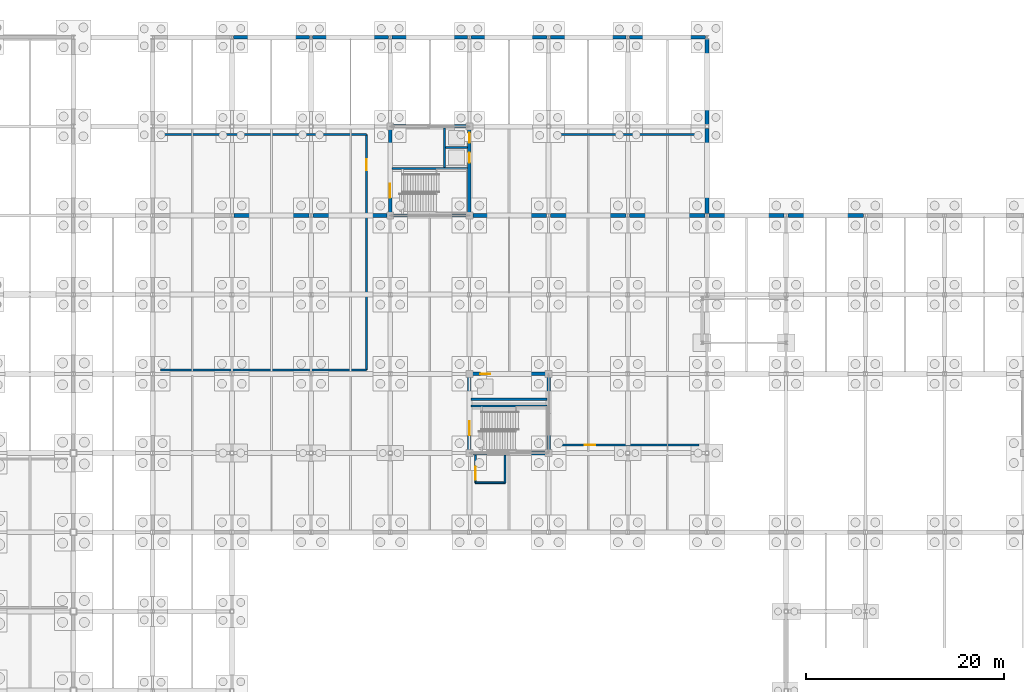
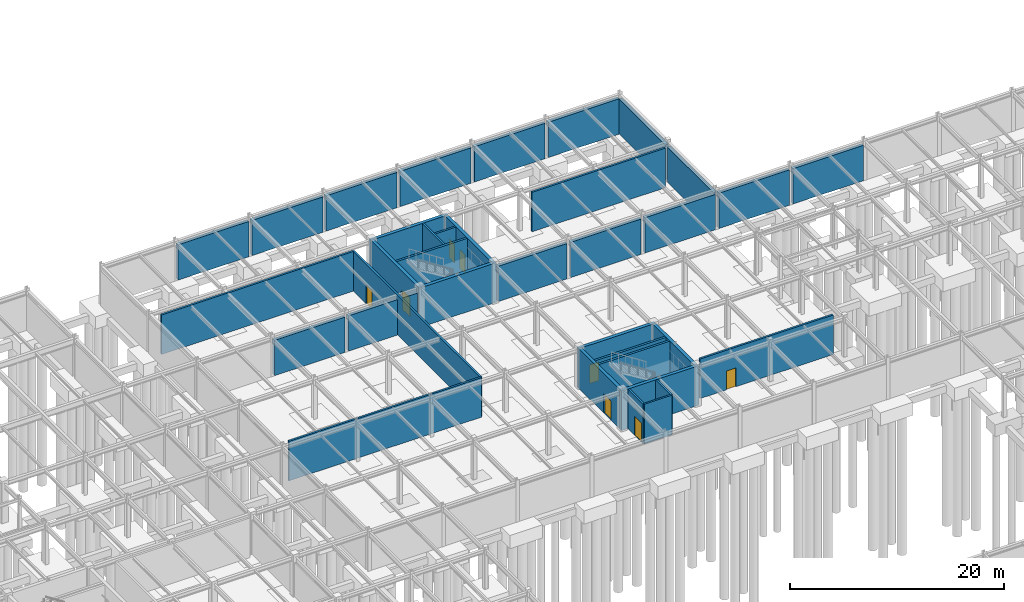
# One storey, part 64 of 72: 36 walls, 8 doors, 8 openings.
"""IFC4 building model written with IfcOpenShell, lengths in metres."""

from ifc_helpers import new_model, si_unit, direction, frame, frame_2d, origin, place, context, subcontext, project, spatial, rectangle, extrude, material, layer, layer_set, type_object, element, fill, save


model = new_model("IFC4")

# Units and contexts
model_context = context("Model", 3, precision=1e-05, world=origin(), true_north=direction((0.0, 1.0)))
body_context = subcontext(model_context, "Body", "Model", "MODEL_VIEW")
ifc_project = project(units=[si_unit("LENGTHUNIT", "METRE"), si_unit("AREAUNIT", "SQUARE_METRE"), si_unit("VOLUMEUNIT", "CUBIC_METRE"), si_unit("PLANEANGLEUNIT", "RADIAN"), si_unit("MASSUNIT", "GRAM", prefix="KILO")], contexts=[model_context])

# Site, building, storey
site_placement = place(None, origin())
site = spatial("IfcSite", under=ifc_project, at=site_placement, CompositionType="ELEMENT")
building_placement = place(site_placement, origin())
building = spatial("IfcBuilding", under=site, at=building_placement, Name="Zhaolan Boulevard Law Courts", CompositionType="ELEMENT")
storey_placement = place(building_placement, frame((0.0, 0.0, -4.800048828125)))
storey = spatial("IfcBuildingStorey", under=building, at=storey_placement, Name="B1", CompositionType="ELEMENT", Elevation=-4.800048828125)

# Wall
ifc_material_1 = material(Name="Concrete C50", Category="concrete")
ifc_layer_1 = layer(ifc_material_1, 0.35009765625)
ifc_layer_set_1 = layer_set([ifc_layer_1])
wall_type_1 = type_object("IfcWallType", Name="CORE SHEAR WALL 350", PredefinedType="SHEAR", material=ifc_layer_set_1)
wall_1_placement = place(storey_placement, frame((83.824951171875, 70.0, 0.0), z_axis=(0.0, 0.0, 1.0), x_axis=(1.0, 0.0, 0.0)))
element("IfcWall", 1, at=wall_1_placement, inside=storey, type_object=wall_type_1, Name="Core Shear Wall CW-T1-B1S", PredefinedType="SHEAR", context=body_context, shape_type="SweptSolid", body=[
    extrude(rectangle(XDim=8.35009765625, YDim=0.35009765625, at=frame_2d((4.175048828125, 0.0))), origin(), (0.0, 0.0, 1.0), 4.52001953125),
])

# Wall, opening, door
wall_2_placement = place(storey_placement, frame((92.175048828125, 78.0, 0.0), z_axis=(0.0, 0.0, 1.0), x_axis=(-1.0, 0.0, 0.0)))
wall_2 = element("IfcWall", 2, at=wall_2_placement, inside=storey, type_object=wall_type_1, Name="Core Shear Wall CW-T1-B1N", PredefinedType="SHEAR", context=body_context, shape_type="SweptSolid", body=[
    extrude(rectangle(XDim=8.35009765625, YDim=0.35009765625, at=frame_2d((4.175048828125, 0.0))), origin(), (0.0, 0.0, 1.0), 4.52001953125),
])
opening_1_placement = place(wall_2_placement, frame((6.074951171875, 0.0, 0.0)))
opening_1 = element("IfcOpeningElement", 3, at=opening_1_placement, cuts=wall_2, Name="Opening LD-PL-03-B1", PredefinedType="OPENING", context=body_context, shape_type="SweptSolid", body=[
    extrude(rectangle(XDim=1.0, YDim=2.14990234375, at=frame_2d((0.5, 1.074951171875))), frame((0.0, 0.18505859375, 0.0), z_axis=(0.0, -1.0, 0.0), x_axis=(1.0, 0.0, 0.0)), (0.0, 0.0, 1.0), 0.3701171875),
])
ifc_material_2 = material(Name="Stainless steel sliding landing door", Category="steel")
door_type_1 = type_object("IfcDoorType", Name="LIFT LANDING 1000X2150", OperationType="DOUBLE_DOOR_SLIDING", PredefinedType="DOOR", material=ifc_material_2)
door_1_placement = place(opening_1_placement, origin())
door_1 = element("IfcDoor", 4, at=door_1_placement, inside=storey, type_object=door_type_1, Name="Lift Landing Sliding Door LD-PL-03-B1", OperationType="DOUBLE_DOOR_SLIDING", OverallHeight=2.14990234375, OverallWidth=1.0, PredefinedType="DOOR", context=body_context, shape_type="SweptSolid", body=[
    extrude(rectangle(XDim=1.0, YDim=2.14990234375, at=frame_2d((0.5, 1.074951171875))), frame((0.0, 0.02490234375, 0.0), z_axis=(0.0, -1.0, 0.0), x_axis=(1.0, 0.0, 0.0)), (0.0, 0.0, 1.0), 0.050048828125),
])
fill(opening_1, door_1)

wall_3_placement = place(storey_placement, frame((84.0, 70.175048828125, 0.0), z_axis=(0.0, 0.0, 1.0), x_axis=(0.0, 1.0, 0.0)))
wall_3 = element("IfcWall", 5, at=wall_3_placement, inside=storey, type_object=wall_type_1, Name="Core Shear Wall CW-T1-B1W", PredefinedType="SHEAR", context=body_context, shape_type="SweptSolid", body=[
    extrude(rectangle(XDim=7.64990234375, YDim=0.35009765625, at=frame_2d((3.824951171875, 0.0))), origin(), (0.0, 0.0, 1.0), 4.52001953125),
])
opening_2_placement = place(wall_3_placement, frame((1.625, 0.0, 0.0)))
opening_2 = element("IfcOpeningElement", 6, at=opening_2_placement, cuts=wall_3, Name="Opening SD-B1-29", PredefinedType="OPENING", context=body_context, shape_type="SweptSolid", body=[
    extrude(rectangle(XDim=1.39990234375, YDim=2.199951171875, at=frame_2d((0.699951171875, 1.10009765625))), frame((0.0, 0.18505859375, 0.0), z_axis=(0.0, -1.0, 0.0), x_axis=(1.0, 0.0, 0.0)), (0.0, 0.0, 1.0), 0.3701171875),
])
ifc_material_3 = material(Name="Fire-rated steel acoustic door", Category="steel")
door_type_2 = type_object("IfcDoorType", Name="STAIR FIRE 1400X2200 L", OperationType="SINGLE_SWING_LEFT", PredefinedType="DOOR", material=ifc_material_3)
door_2_placement = place(opening_2_placement, origin())
door_2 = element("IfcDoor", 7, at=door_2_placement, inside=storey, type_object=door_type_2, Name="Smoke-Proof Stairwell Fire Door SD-B1-29", OperationType="SINGLE_SWING_LEFT", OverallHeight=2.199951171875, OverallWidth=1.39990234375, PredefinedType="DOOR", context=body_context, shape_type="SweptSolid", body=[
    extrude(rectangle(XDim=1.39990234375, YDim=2.199951171875, at=frame_2d((0.699951171875, 1.10009765625))), frame((0.0, 0.02490234375, 0.0), z_axis=(0.0, -1.0, 0.0), x_axis=(1.0, 0.0, 0.0)), (0.0, 0.0, 1.0), 0.050048828125),
])
fill(opening_2, door_2)

# Walls
wall_4_placement = place(storey_placement, frame((92.0, 70.175048828125, 0.0), z_axis=(0.0, 0.0, 1.0), x_axis=(0.0, 1.0, 0.0)))
element("IfcWall", 8, at=wall_4_placement, inside=storey, type_object=wall_type_1, Name="Core Shear Wall CW-T1-B1E", PredefinedType="SHEAR", context=body_context, shape_type="SweptSolid", body=[
    extrude(rectangle(XDim=7.64990234375, YDim=0.35009765625, at=frame_2d((3.824951171875, 0.0))), origin(), (0.0, 0.0, 1.0), 4.52001953125),
])
for number, where, z_axis, x_axis, name in (
    (9, (75.824951171875, 94.0, 0.0), (0.0, 0.0, 1.0), (1.0, 0.0, 0.0), "Core Shear Wall CW-C1-B1S"),
    (10, (84.175048828125, 103.0, 0.0), (0.0, 0.0, 1.0), (-1.0, 0.0, 0.0), "Core Shear Wall CW-C1-B1N"),
):
    element("IfcWall", number, at=place(storey_placement, frame(where, z_axis=z_axis, x_axis=x_axis)), inside=storey, type_object=wall_type_1, Name=name, PredefinedType="SHEAR", context=body_context, shape_type="SweptSolid", body=[
        extrude(rectangle(XDim=8.35009765625, YDim=0.35009765625, at=frame_2d((4.175048828125, 0.0))), origin(), (0.0, 0.0, 1.0), 4.52001953125),
    ])

# Wall, opening, door
wall_5_placement = place(storey_placement, frame((76.0, 94.175048828125, 0.0), z_axis=(0.0, 0.0, 1.0), x_axis=(0.0, 1.0, 0.0)))
wall_5 = element("IfcWall", 11, at=wall_5_placement, inside=storey, type_object=wall_type_1, Name="Core Shear Wall CW-C1-B1W", PredefinedType="SHEAR", context=body_context, shape_type="SweptSolid", body=[
    extrude(rectangle(XDim=8.64990234375, YDim=0.35009765625, at=frame_2d((4.324951171875, 0.0))), origin(), (0.0, 0.0, 1.0), 4.52001953125),
])
opening_3_placement = place(wall_5_placement, frame((1.625, 0.0, 0.0)))
opening_3 = element("IfcOpeningElement", 12, at=opening_3_placement, cuts=wall_5, Name="Opening SD-B1-43", PredefinedType="OPENING", context=body_context, shape_type="SweptSolid", body=[
    extrude(rectangle(XDim=1.39990234375, YDim=2.199951171875, at=frame_2d((0.699951171875, 1.10009765625))), frame((0.0, 0.18505859375, 0.0), z_axis=(0.0, -1.0, 0.0), x_axis=(1.0, 0.0, 0.0)), (0.0, 0.0, 1.0), 0.3701171875),
])
door_3_placement = place(opening_3_placement, origin())
door_3 = element("IfcDoor", 13, at=door_3_placement, inside=storey, type_object=door_type_2, Name="Smoke-Proof Stairwell Fire Door SD-B1-43", OperationType="SINGLE_SWING_LEFT", OverallHeight=2.199951171875, OverallWidth=1.39990234375, PredefinedType="DOOR", context=body_context, shape_type="SweptSolid", body=[
    extrude(rectangle(XDim=1.39990234375, YDim=2.199951171875, at=frame_2d((0.699951171875, 1.10009765625))), frame((0.0, 0.02490234375, 0.0), z_axis=(0.0, -1.0, 0.0), x_axis=(1.0, 0.0, 0.0)), (0.0, 0.0, 1.0), 0.050048828125),
])
fill(opening_3, door_3)

# Wall, openings, doors
wall_6_placement = place(storey_placement, frame((84.0, 94.175048828125, 0.0), z_axis=(0.0, 0.0, 1.0), x_axis=(0.0, 1.0, 0.0)))
wall_6 = element("IfcWall", 14, at=wall_6_placement, inside=storey, type_object=wall_type_1, Name="Core Shear Wall CW-C1-B1E", PredefinedType="SHEAR", context=body_context, shape_type="SweptSolid", body=[
    extrude(rectangle(XDim=8.64990234375, YDim=0.35009765625, at=frame_2d((4.324951171875, 0.0))), origin(), (0.0, 0.0, 1.0), 4.52001953125),
])
opening_4_placement = place(wall_6_placement, frame((5.175048828125, 0.0, 0.0)))
opening_4 = element("IfcOpeningElement", 15, at=opening_4_placement, cuts=wall_6, Name="Opening LD-CL-01-B1", PredefinedType="OPENING", context=body_context, shape_type="SweptSolid", body=[
    extrude(rectangle(XDim=1.0, YDim=2.14990234375, at=frame_2d((0.5, 1.074951171875))), frame((0.0, 0.18505859375, 0.0), z_axis=(0.0, -1.0, 0.0), x_axis=(1.0, 0.0, 0.0)), (0.0, 0.0, 1.0), 0.3701171875),
])
opening_5_placement = place(wall_6_placement, frame((7.175048828125, 0.0, 0.0)))
opening_5 = element("IfcOpeningElement", 16, at=opening_5_placement, cuts=wall_6, Name="Opening LD-CL-02-B1", PredefinedType="OPENING", context=body_context, shape_type="SweptSolid", body=[
    extrude(rectangle(XDim=1.0, YDim=2.14990234375, at=frame_2d((0.5, 1.074951171875))), frame((0.0, 0.18505859375, 0.0), z_axis=(0.0, -1.0, 0.0), x_axis=(1.0, 0.0, 0.0)), (0.0, 0.0, 1.0), 0.3701171875),
])
door_4_placement = place(opening_4_placement, origin())
door_4 = element("IfcDoor", 17, at=door_4_placement, inside=storey, type_object=door_type_1, Name="Lift Landing Sliding Door LD-CL-01-B1", OperationType="DOUBLE_DOOR_SLIDING", OverallHeight=2.14990234375, OverallWidth=1.0, PredefinedType="DOOR", context=body_context, shape_type="SweptSolid", body=[
    extrude(rectangle(XDim=1.0, YDim=2.14990234375, at=frame_2d((0.5, 1.074951171875))), frame((0.0, 0.02490234375, 0.0), z_axis=(0.0, -1.0, 0.0), x_axis=(1.0, 0.0, 0.0)), (0.0, 0.0, 1.0), 0.050048828125),
])
fill(opening_4, door_4)
door_5_placement = place(opening_5_placement, origin())
door_5 = element("IfcDoor", 18, at=door_5_placement, inside=storey, type_object=door_type_1, Name="Lift Landing Sliding Door LD-CL-02-B1", OperationType="DOUBLE_DOOR_SLIDING", OverallHeight=2.14990234375, OverallWidth=1.0, PredefinedType="DOOR", context=body_context, shape_type="SweptSolid", body=[
    extrude(rectangle(XDim=1.0, YDim=2.14990234375, at=frame_2d((0.5, 1.074951171875))), frame((0.0, 0.02490234375, 0.0), z_axis=(0.0, -1.0, 0.0), x_axis=(1.0, 0.0, 0.0)), (0.0, 0.0, 1.0), 0.050048828125),
])
fill(opening_5, door_5)

# Walls
ifc_material_4 = material(Name="Concrete C40", Category="concrete")
ifc_layer_2 = layer(ifc_material_4, 0.360107421875)
ifc_layer_set_2 = layer_set([ifc_layer_2])
wall_type_2 = type_object("IfcWallType", Name="EXT WALL RETAINING360", PredefinedType="USERDEFINED", material=ifc_layer_set_2)
wall_7_placement = place(storey_placement, frame((67.803955078125, 94.0, 0.0), z_axis=(0.0, 0.0, 1.0), x_axis=(-1.0, 0.0, 0.0)))
element("IfcWall", 19, at=wall_7_placement, inside=storey, type_object=wall_type_2, Name="Exterior Wall EW-B1-089", ObjectType="RETAININGWALL", PredefinedType="USERDEFINED", context=body_context, shape_type="SweptSolid", body=[
    extrude(rectangle(XDim=7.60791015625, YDim=0.360107421875, at=frame_2d((3.803955078125, 0.0))), origin(), (0.0, 0.0, 1.0), 4.04296875),
])
for number, where, z_axis, x_axis, name in (
    (20, (75.654052734375, 94.0, 0.0), (0.0, 0.0, 1.0), (-1.0, 0.0, 0.0), "Exterior Wall EW-B1-090"),
    (21, (91.803955078125, 94.0, 0.0), (0.0, 0.0, 1.0), (-1.0, 0.0, 0.0), "Exterior Wall EW-B1-091"),
):
    element("IfcWall", number, at=place(storey_placement, frame(where, z_axis=z_axis, x_axis=x_axis)), inside=storey, type_object=wall_type_2, Name=name, ObjectType="RETAININGWALL", PredefinedType="USERDEFINED", context=body_context, shape_type="SweptSolid", body=[
        extrude(rectangle(XDim=7.4580078125, YDim=0.360107421875, at=frame_2d((3.72900390625, 0.0))), origin(), (0.0, 0.0, 1.0), 4.04296875),
    ])
for number, where, z_axis, x_axis, name in (
    (22, (99.803955078125, 94.0, 0.0), (0.0, 0.0, 1.0), (-1.0, 0.0, 0.0), "Exterior Wall EW-B1-092"),
    (23, (107.803955078125, 94.0, 0.0), (0.0, 0.0, 1.0), (-1.0, 0.0, 0.0), "Exterior Wall EW-B1-093"),
    (24, (115.803955078125, 94.0, 0.0), (0.0, 0.0, 1.0), (-1.0, 0.0, 0.0), "Exterior Wall EW-B1-094"),
    (25, (123.803955078125, 94.0, 0.0), (0.0, 0.0, 1.0), (-1.0, 0.0, 0.0), "Exterior Wall EW-B1-095"),
):
    element("IfcWall", number, at=place(storey_placement, frame(where, z_axis=z_axis, x_axis=x_axis)), inside=storey, type_object=wall_type_2, Name=name, ObjectType="RETAININGWALL", PredefinedType="USERDEFINED", context=body_context, shape_type="SweptSolid", body=[
        extrude(rectangle(XDim=7.60791015625, YDim=0.360107421875, at=frame_2d((3.803955078125, 0.0))), origin(), (0.0, 0.0, 1.0), 4.04296875),
    ])
for number, where, z_axis, x_axis, name in (
    (26, (67.8291015625, 112.0, 0.0), (0.0, 0.0, 1.0), (-1.0, 0.0, 0.0), "Exterior Wall EW-B1-110"),
    (27, (75.8291015625, 112.0, 0.0), (0.0, 0.0, 1.0), (-1.0, 0.0, 0.0), "Exterior Wall EW-B1-111"),
    (28, (83.8291015625, 112.0, 0.0), (0.0, 0.0, 1.0), (-1.0, 0.0, 0.0), "Exterior Wall EW-B1-112"),
    (29, (91.8291015625, 112.0, 0.0), (0.0, 0.0, 1.0), (-1.0, 0.0, 0.0), "Exterior Wall EW-B1-113"),
    (30, (99.8291015625, 112.0, 0.0), (0.0, 0.0, 1.0), (-1.0, 0.0, 0.0), "Exterior Wall EW-B1-114"),
    (31, (107.8291015625, 112.0, 0.0), (0.0, 0.0, 1.0), (-1.0, 0.0, 0.0), "Exterior Wall EW-B1-115"),
):
    element("IfcWall", number, at=place(storey_placement, frame(where, z_axis=z_axis, x_axis=x_axis)), inside=storey, type_object=wall_type_2, Name=name, ObjectType="RETAININGWALL", PredefinedType="USERDEFINED", context=body_context, shape_type="SweptSolid", body=[
        extrude(rectangle(XDim=7.658203125, YDim=0.360107421875, at=frame_2d((3.8291015625, 0.0))), origin(), (0.0, 0.0, 1.0), 4.04296875),
    ])
wall_8_placement = place(storey_placement, frame((108.0, 94.196044921875, 0.0), z_axis=(0.0, 0.0, 1.0), x_axis=(0.0, 1.0, 0.0)))
element("IfcWall", 32, at=wall_8_placement, inside=storey, type_object=wall_type_2, Name="Exterior Wall EW-B1-118", ObjectType="RETAININGWALL", PredefinedType="USERDEFINED", context=body_context, shape_type="SweptSolid", body=[
    extrude(rectangle(XDim=8.60791015625, YDim=0.360107421875, at=frame_2d((4.303955078125, 0.0))), origin(), (0.0, 0.0, 1.0), 4.0009765625),
])
wall_9_placement = place(storey_placement, frame((108.0, 103.196044921875, 0.0), z_axis=(0.0, 0.0, 1.0), x_axis=(0.0, 1.0, 0.0)))
element("IfcWall", 33, at=wall_9_placement, inside=storey, type_object=wall_type_2, Name="Exterior Wall EW-B1-119", ObjectType="RETAININGWALL", PredefinedType="USERDEFINED", context=body_context, shape_type="SweptSolid", body=[
    extrude(rectangle(XDim=8.633056640625, YDim=0.360107421875, at=frame_2d((4.31640625, 0.0))), origin(), (0.0, 0.0, 1.0), 4.0009765625),
])
ifc_material_5 = material(Name="Concrete C50", Category="concrete")
ifc_layer_3 = layer(ifc_material_5, 0.239990234375)
ifc_layer_set_3 = layer_set([ifc_layer_3])
wall_type_3 = type_object("IfcWallType", Name="LIFT SHAFT WALL 240", PredefinedType="SHEAR", material=ifc_layer_set_3)
wall_10_placement = place(storey_placement, frame((84.175048828125, 75.455078125, 0.0), z_axis=(0.0, 0.0, 1.0), x_axis=(1.0, 0.0, 0.0)))
element("IfcWall", 34, at=wall_10_placement, inside=storey, type_object=wall_type_3, Name="Lift Shaft Enclosure Wall T1 (B1)", PredefinedType="SHEAR", context=body_context, shape_type="SweptSolid", body=[
    extrude(rectangle(XDim=7.64990234375, YDim=0.239990234375, at=frame_2d((3.824951171875, 0.0))), origin(), (0.0, 0.0, 1.0), 4.52001953125),
])
ifc_material_6 = material(Name="Acoustic gypsum and mineral-wool stud")
ifc_layer_4 = layer(ifc_material_6, 0.18994140625)
ifc_layer_set_4 = layer_set([ifc_layer_4])
wall_type_4 = type_object("IfcWallType", Name="PART WALL ACOUST190", PredefinedType="PARTITIONING", material=ifc_layer_set_4)
wall_11_placement = place(storey_placement, frame((84.60009765625, 67.0, 0.0), z_axis=(0.0, 0.0, 1.0), x_axis=(1.0, 0.0, 0.0)))
element("IfcWall", 35, at=wall_11_placement, inside=storey, type_object=wall_type_4, Name="Interior Partition PW-B1-076", PredefinedType="PARTITIONING", context=body_context, shape_type="SweptSolid", body=[
    extrude(rectangle(XDim=3.0, YDim=0.18994140625, at=frame_2d((1.5, 0.0))), origin(), (0.0, 0.0, 1.0), 4.52001953125),
])

# Wall, opening, door
wall_12_placement = place(storey_placement, frame((84.60009765625, 69.800048828125, 0.0), z_axis=(0.0, 0.0, 1.0), x_axis=(0.0, -1.0, 0.0)))
wall_12 = element("IfcWall", 36, at=wall_12_placement, inside=storey, type_object=wall_type_4, Name="Interior Partition PW-B1-077", PredefinedType="PARTITIONING", context=body_context, shape_type="SweptSolid", body=[
    extrude(rectangle(XDim=2.800048828125, YDim=0.18994140625, at=frame_2d((1.39990234375, 0.0))), origin(), (0.0, 0.0, 1.0), 4.52001953125),
])
opening_6_placement = place(wall_12_placement, frame((1.199951171875, 0.0, 0.0)))
opening_6 = element("IfcOpeningElement", 37, at=opening_6_placement, cuts=wall_12, Name="Opening FD-B1-026", PredefinedType="OPENING", context=body_context, shape_type="SweptSolid", body=[
    extrude(rectangle(XDim=1.300048828125, YDim=2.199951171875, at=frame_2d((0.64990234375, 1.10009765625))), frame((0.0, 0.10498046875, 0.0), z_axis=(0.0, -1.0, 0.0), x_axis=(1.0, 0.0, 0.0)), (0.0, 0.0, 1.0), 0.2099609375),
])
ifc_material_7 = material(Name="Fire-rated steel acoustic door", Category="steel")
door_type_3 = type_object("IfcDoorType", Name="LOBBY FIRE 1300X2200 R", OperationType="SINGLE_SWING_RIGHT", PredefinedType="DOOR", material=ifc_material_7)
door_6_placement = place(opening_6_placement, origin())
door_6 = element("IfcDoor", 38, at=door_6_placement, inside=storey, type_object=door_type_3, Name="Door FD-B1-026 (Lobby Firefighting Lift B1-T1)", OperationType="SINGLE_SWING_RIGHT", OverallHeight=2.199951171875, OverallWidth=1.300048828125, PredefinedType="DOOR", context=body_context, shape_type="SweptSolid", body=[
    extrude(rectangle(XDim=1.300048828125, YDim=2.199951171875, at=frame_2d((0.64990234375, 1.10009765625))), frame((0.0, 0.02490234375, 0.0), z_axis=(0.0, -1.0, 0.0), x_axis=(1.0, 0.0, 0.0)), (0.0, 0.0, 1.0), 0.050048828125),
])
fill(opening_6, door_6)

# Walls
wall_13_placement = place(storey_placement, frame((87.60009765625, 67.0, 0.0), z_axis=(0.0, 0.0, 1.0), x_axis=(0.0, 1.0, 0.0)))
element("IfcWall", 39, at=wall_13_placement, inside=storey, type_object=wall_type_4, Name="Interior Partition PW-B1-078", PredefinedType="PARTITIONING", context=body_context, shape_type="SweptSolid", body=[
    extrude(rectangle(XDim=2.800048828125, YDim=0.18994140625, at=frame_2d((1.39990234375, 0.0))), origin(), (0.0, 0.0, 1.0), 4.52001953125),
])
ifc_material_8 = material(Name="Concrete C40", Category="concrete")
ifc_layer_5 = layer(ifc_material_8, 0.2099609375)
ifc_layer_set_5 = layer_set([ifc_layer_5])
wall_type_5 = type_object("IfcWallType", Name="PART WALL CUSTODY210", PredefinedType="PARTITIONING", material=ifc_layer_set_5)
wall_14_placement = place(storey_placement, frame((81.465087890625, 98.8720703125, 0.0), z_axis=(0.0, 0.0, 1.0), x_axis=(0.0, 1.0, 0.0)))
element("IfcWall", 40, at=wall_14_placement, inside=storey, type_object=wall_type_5, Name="Lift Shaft Enclosure Wall C1W (B1)", PredefinedType="PARTITIONING", context=body_context, shape_type="SweptSolid", body=[
    extrude(rectangle(XDim=3.950927734375, YDim=0.2099609375, at=frame_2d((1.9755859375, 0.0))), origin(), (0.0, 0.0, 1.0), 4.52001953125),
])
wall_15_placement = place(storey_placement, frame((81.572021484375, 100.85009765625, 0.0), z_axis=(0.0, 0.0, 1.0), x_axis=(1.0, 0.0, 0.0)))
element("IfcWall", 41, at=wall_15_placement, inside=storey, type_object=wall_type_5, Name="Lift Shaft Divider Wall C1 (B1)", PredefinedType="PARTITIONING", context=body_context, shape_type="SweptSolid", body=[
    extrude(rectangle(XDim=2.2509765625, YDim=0.2099609375, at=frame_2d((1.12548828125, 0.0))), origin(), (0.0, 0.0, 1.0), 4.52001953125),
])
for number, where, z_axis, x_axis, name in (
    (42, (52.800048828125, 78.39990234375, 0.0), (0.0, 0.0, 1.0), (1.0, 0.0, 0.0), "Interior Partition PW-B1-226"),
    (43, (73.60009765625, 102.199951171875, 0.0), (0.0, 0.0, 1.0), (-1.0, 0.0, 0.0), "Interior Partition PW-B1-227"),
):
    element("IfcWall", number, at=place(storey_placement, frame(where, z_axis=z_axis, x_axis=x_axis)), inside=storey, type_object=wall_type_5, Name=name, PredefinedType="PARTITIONING", context=body_context, shape_type="SweptSolid", body=[
        extrude(rectangle(XDim=20.800048828125, YDim=0.2099609375, at=frame_2d((10.39990234375, 0.0))), origin(), (0.0, 0.0, 1.0), 4.52001953125),
    ])

# Wall, opening, door
wall_16_placement = place(storey_placement, frame((73.60009765625, 78.39990234375, 0.0), z_axis=(0.0, 0.0, 1.0), x_axis=(0.0, 1.0, 0.0)))
wall_16 = element("IfcWall", 44, at=wall_16_placement, inside=storey, type_object=wall_type_5, Name="Interior Partition PW-B1-228", PredefinedType="PARTITIONING", context=body_context, shape_type="SweptSolid", body=[
    extrude(rectangle(XDim=23.800048828125, YDim=0.2099609375, at=frame_2d((11.89990234375, 0.0))), origin(), (0.0, 0.0, 1.0), 4.52001953125),
])
opening_7_placement = place(wall_16_placement, frame((20.18994140625, 0.0, 0.0)))
opening_7 = element("IfcOpeningElement", 45, at=opening_7_placement, cuts=wall_16, Name="Opening CD-B1-067", PredefinedType="OPENING", context=body_context, shape_type="SweptSolid", body=[
    extrude(rectangle(XDim=1.10009765625, YDim=2.14990234375, at=frame_2d((0.550048828125, 1.074951171875))), frame((0.0, 0.114990234375, 0.0), z_axis=(0.0, -1.0, 0.0), x_axis=(1.0, 0.0, 0.0)), (0.0, 0.0, 1.0), 0.22998046875),
])
ifc_material_9 = material(Name="Fire-rated steel acoustic door", Category="steel")
door_type_4 = type_object("IfcDoorType", Name="CUSTODY DOOR 1100X2150 L", OperationType="SINGLE_SWING_LEFT", PredefinedType="DOOR", material=ifc_material_9)
door_7_placement = place(opening_7_placement, origin())
door_7 = element("IfcDoor", 46, at=door_7_placement, inside=storey, type_object=door_type_4, Name="Door CD-B1-067 (Custody Basement Transfer Suite)", OperationType="SINGLE_SWING_LEFT", OverallHeight=2.14990234375, OverallWidth=1.10009765625, PredefinedType="DOOR", context=body_context, shape_type="SweptSolid", body=[
    extrude(rectangle(XDim=1.10009765625, YDim=2.14990234375, at=frame_2d((0.550048828125, 1.074951171875))), frame((0.0, 0.02490234375, 0.0), z_axis=(0.0, -1.0, 0.0), x_axis=(1.0, 0.0, 0.0)), (0.0, 0.0, 1.0), 0.050048828125),
])
fill(opening_7, door_7)

wall_17_placement = place(storey_placement, frame((92.800048828125, 70.800048828125, 0.0), z_axis=(0.0, 0.0, 1.0), x_axis=(1.0, 0.0, 0.0)))
wall_17 = element("IfcWall", 47, at=wall_17_placement, inside=storey, type_object=wall_type_5, Name="Interior Partition PW-B1-229", PredefinedType="PARTITIONING", context=body_context, shape_type="SweptSolid", body=[
    extrude(rectangle(XDim=14.39990234375, YDim=0.2099609375, at=frame_2d((7.199951171875, 0.0))), origin(), (0.0, 0.0, 1.0), 4.52001953125),
])
opening_8_placement = place(wall_17_placement, frame((2.85009765625, 0.0, 0.0)))
opening_8 = element("IfcOpeningElement", 48, at=opening_8_placement, cuts=wall_17, Name="Opening CD-B1-068", PredefinedType="OPENING", context=body_context, shape_type="SweptSolid", body=[
    extrude(rectangle(XDim=1.050048828125, YDim=2.14990234375, at=frame_2d((0.52490234375, 1.074951171875))), frame((0.0, 0.114990234375, 0.0), z_axis=(0.0, -1.0, 0.0), x_axis=(1.0, 0.0, 0.0)), (0.0, 0.0, 1.0), 0.22998046875),
])
ifc_material_10 = material(Name="Fire-rated steel acoustic door", Category="steel")
door_type_5 = type_object("IfcDoorType", Name="CUSTODY DOOR 1050X2150 R", OperationType="SINGLE_SWING_RIGHT", PredefinedType="DOOR", material=ifc_material_10)
door_8_placement = place(opening_8_placement, origin())
door_8 = element("IfcDoor", 49, at=door_8_placement, inside=storey, type_object=door_type_5, Name="Door CD-B1-068 (Judicial Marshal Equipment Store B1)", OperationType="SINGLE_SWING_RIGHT", OverallHeight=2.14990234375, OverallWidth=1.050048828125, PredefinedType="DOOR", context=body_context, shape_type="SweptSolid", body=[
    extrude(rectangle(XDim=1.050048828125, YDim=2.14990234375, at=frame_2d((0.52490234375, 1.074951171875))), frame((0.0, 0.02490234375, 0.0), z_axis=(0.0, -1.0, 0.0), x_axis=(1.0, 0.0, 0.0)), (0.0, 0.0, 1.0), 0.050048828125),
])
fill(opening_8, door_8)

# Walls
wall_18_placement = place(storey_placement, frame((107.199951171875, 102.199951171875, 0.0), z_axis=(0.0, 0.0, 1.0), x_axis=(-1.0, 0.0, 0.0)))
element("IfcWall", 50, at=wall_18_placement, inside=storey, type_object=wall_type_5, Name="Interior Partition PW-B1-230", PredefinedType="PARTITIONING", context=body_context, shape_type="SweptSolid", body=[
    extrude(rectangle(XDim=14.39990234375, YDim=0.2099609375, at=frame_2d((7.199951171875, 0.0))), origin(), (0.0, 0.0, 1.0), 4.52001953125),
])
ifc_material_11 = material(Name="Concrete C50", Category="concrete")
ifc_layer_6 = layer(ifc_material_11, 0.239990234375)
ifc_layer_set_6 = layer_set([ifc_layer_6])
wall_type_6 = type_object("IfcWallType", Name="STAIR WELL WALL 240", PredefinedType="SHEAR", material=ifc_layer_set_6)
for number, where, z_axis, x_axis, name in (
    (51, (84.175048828125, 74.75, 0.0), (0.0, 0.0, 1.0), (1.0, 0.0, 0.0), "Stairwell Divider Shear Wall ST08-B1N"),
    (52, (76.175048828125, 98.75, 0.0), (0.0, 0.0, 1.0), (1.0, 0.0, 0.0), "Stairwell Divider Shear Wall ST11-B1N"),
):
    element("IfcWall", number, at=place(storey_placement, frame(where, z_axis=z_axis, x_axis=x_axis)), inside=storey, type_object=wall_type_6, Name=name, PredefinedType="SHEAR", context=body_context, shape_type="SweptSolid", body=[
        extrude(rectangle(XDim=7.64990234375, YDim=0.239990234375, at=frame_2d((3.824951171875, 0.0))), origin(), (0.0, 0.0, 1.0), 4.52001953125),
    ])

save(model, "model.ifc")
